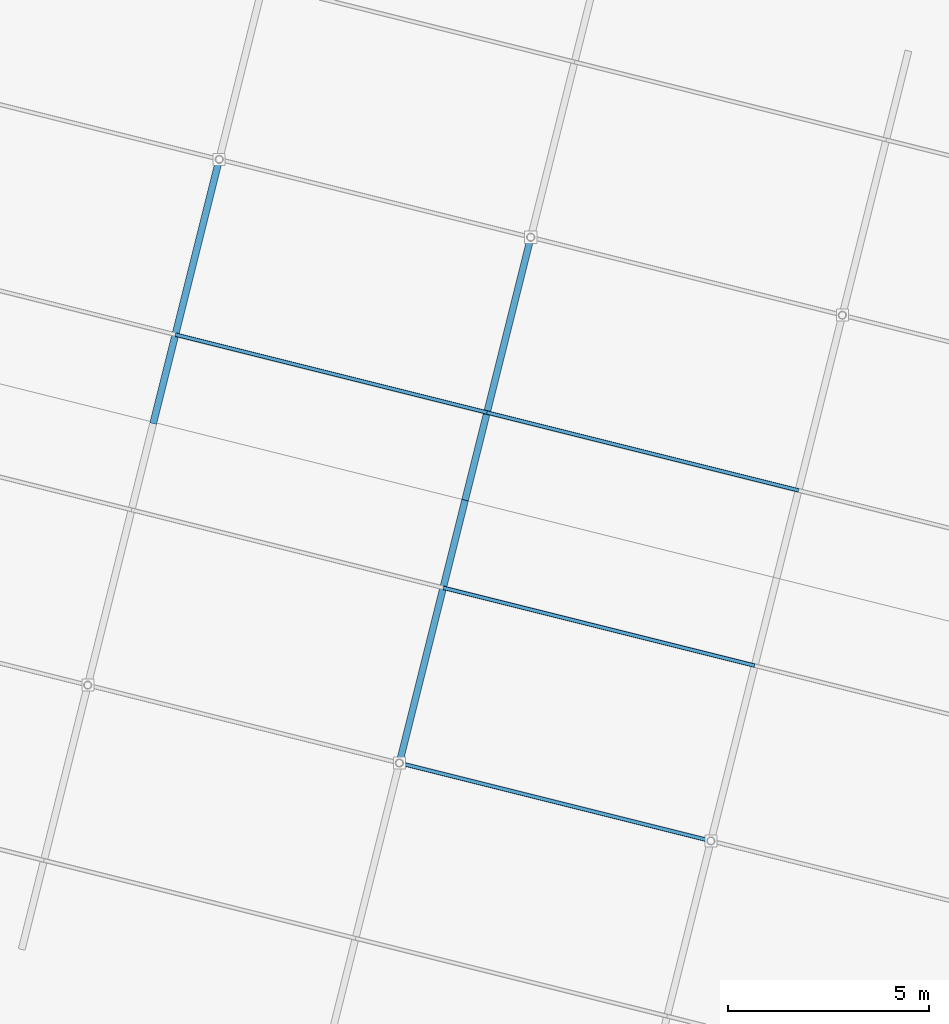
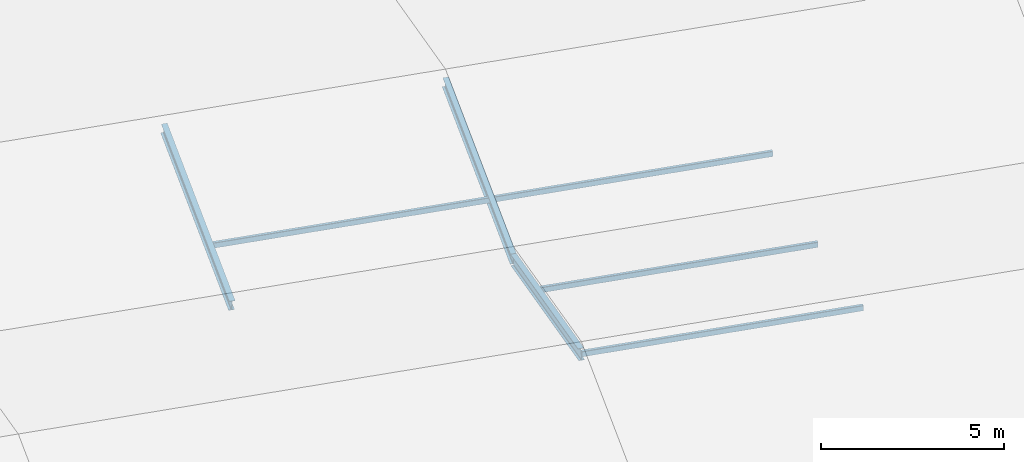
# One storey, part 55 of 107: 7 members.
"""IFC4 building model written with IfcOpenShell, lengths in metres."""

from ifc_helpers import new_model, si_unit, derived_unit, direction, frame, origin, origin_2d, place, context, subcontext, project, spatial, hollow_rectangle, i_section, extrude, material, material_profile, profile_set, type_object, element, save


model = new_model("IFC4")

# Units and contexts
model_context = context("Model", 3, precision=1e-05, world=origin(), true_north=direction((0.0, 1.0)))
body_context = subcontext(model_context, "Body", "Model", "MODEL_VIEW")
ifc_project = project(units=[si_unit("LENGTHUNIT", "METRE"), si_unit("AREAUNIT", "SQUARE_METRE"), si_unit("VOLUMEUNIT", "CUBIC_METRE"), si_unit("PLANEANGLEUNIT", "RADIAN"), si_unit("MASSUNIT", "GRAM", prefix="KILO"), si_unit("THERMODYNAMICTEMPERATUREUNIT", "KELVIN"), si_unit("TIMEUNIT", "SECOND"), derived_unit("THERMALTRANSMITTANCEUNIT", [(si_unit("MASSUNIT", "GRAM", prefix="KILO"), 1), (si_unit("THERMODYNAMICTEMPERATUREUNIT", "KELVIN"), -1), (si_unit("TIMEUNIT", "SECOND"), -3)])], contexts=[model_context])

# Site, building, storey
site_placement = place(None, origin())
site = spatial("IfcSite", under=ifc_project, at=site_placement, CompositionType="ELEMENT")
building_placement = place(site_placement, origin())
building = spatial("IfcBuilding", under=site, at=building_placement, Name="Cambertide Market Hall", CompositionType="ELEMENT")
storey_placement = place(building_placement, frame((0.0, 0.0, 18.300048828125)))
storey = spatial("IfcBuildingStorey", under=building, at=storey_placement, Name="RF", CompositionType="ELEMENT", Elevation=18.300048828125)

# Members
ifc_material_1 = material(Name="Steel S355", Category="steel")
ifc_material_profile_1 = material_profile(ifc_material_1, i_section(OverallWidth=0.169921875, OverallDepth=0.360107421875, WebThickness=0.008056640625, FlangeThickness=0.0126953125, FilletRadius=0.01806640625, at=origin_2d()), Name="IPE 360")
ifc_profile_set_1 = profile_set([ifc_material_profile_1], Name="Steel S355")
member_type_1 = type_object("IfcMemberType", Name="Radial Fan Rafter IPE 360", PredefinedType="RAFTER", material=ifc_profile_set_1)
for number, where, z_axis, x_axis, name in (
    (1, (134.5576171875, 107.276123046875, -0.3701171875), (0.2376832779, 0.950662224848, 0.199368988695), (-0.970138244761, 0.242552645939, 0.0), "RAF-V4-4-3"),
    (2, (140.681640625, 98.787353515625, 1.003173828125), (0.2376832779, 0.950662224848, -0.199368988695), (-0.970138244761, 0.242552645939, 0.0), "RAF-V4-5-2"),
):
    element("IfcMember", number, at=place(storey_placement, frame(where, z_axis=z_axis, x_axis=x_axis)), inside=storey, type_object=member_type_1, Name=name, PredefinedType="RAFTER", context=body_context, shape_type="SweptSolid", body=[
        extrude(i_section(OverallWidth=0.169921875, OverallDepth=0.360107421875, WebThickness=0.008056640625, FlangeThickness=0.0126953125, FilletRadius=0.01806640625, at=origin_2d()), origin(), (0.0, 0.0, 1.0), 6.88818359375),
    ])
member_placement = place(storey_placement, frame((142.31884765625, 105.335693359375, -0.3701171875), z_axis=(0.237641829002, 0.950673643448, 0.199363950505), x_axis=(-0.970148882494, 0.242510094215, 0.0)))
element("IfcMember", 3, at=member_placement, inside=storey, type_object=member_type_1, Name="RAF-V4-5-3", PredefinedType="RAFTER", context=body_context, shape_type="SweptSolid", body=[
    extrude(i_section(OverallWidth=0.169921875, OverallDepth=0.360107421875, WebThickness=0.008056640625, FlangeThickness=0.0126953125, FilletRadius=0.01806640625, at=origin_2d()), origin(), (0.0, 0.0, 1.0), 6.888427734375),
])
ifc_material_2 = material(Name="Steel S275", Category="steel")
ifc_material_profile_2 = material_profile(ifc_material_2, hollow_rectangle(XDim=0.10009765625, YDim=0.179931640625, WallThickness=0.00634765625, InnerFilletRadius=0.00634765625, OuterFilletRadius=0.0126953125, at=origin_2d()), Name="RHS 180x100x6.3")
ifc_profile_set_2 = profile_set([ifc_material_profile_2], Name="Steel S275")
member_type_2 = type_object("IfcMemberType", Name="Roof Purlin RHS 180x100x6.3", PredefinedType="PURLIN", material=ifc_profile_set_2)
for number, where, z_axis, x_axis, name in (
    (4, (135.103271484375, 109.458984375, 0.11767578125), (0.970138909791, -0.242549986002, 0.0), (0.242549986002, 0.970138909791, 0.0), "PUR-V4-4-157"),
    (5, (140.681640625, 98.787353515625, 1.033203125), (0.970138909791, -0.242549986002, 0.0), (0.242549986002, 0.970138909791, 0.0), "PUR-V4-5-67"),
):
    element("IfcMember", number, at=place(storey_placement, frame(where, z_axis=z_axis, x_axis=x_axis)), inside=storey, type_object=member_type_2, Name=name, PredefinedType="PURLIN", context=body_context, shape_type="SweptSolid", body=[
        extrude(hollow_rectangle(XDim=0.10009765625, YDim=0.179931640625, WallThickness=0.00634765625, InnerFilletRadius=0.00634765625, OuterFilletRadius=0.0126953125, at=origin_2d()), origin(), (0.0, 0.0, 1.0), 8.000244140625),
    ])
for number, where, z_axis, x_axis, name in (
    (6, (141.773193359375, 103.153076171875, 0.11767578125), (0.970137114374, -0.242557167103, 0.0), (0.242557167103, 0.970137114374, 0.0), "PUR-V4-5-112"),
    (7, (142.864501953125, 107.5185546875, 0.11767578125), (0.970146090314, -0.242521263911, 0.0), (0.242521263911, 0.970146090314, 0.0), "PUR-V4-5-157"),
):
    element("IfcMember", number, at=place(storey_placement, frame(where, z_axis=z_axis, x_axis=x_axis)), inside=storey, type_object=member_type_2, Name=name, PredefinedType="PURLIN", context=body_context, shape_type="SweptSolid", body=[
        extrude(hollow_rectangle(XDim=0.10009765625, YDim=0.179931640625, WallThickness=0.00634765625, InnerFilletRadius=0.00634765625, OuterFilletRadius=0.0126953125, at=origin_2d()), origin(), (0.0, 0.0, 1.0), 8.0),
    ])

save(model, "model.ifc")
